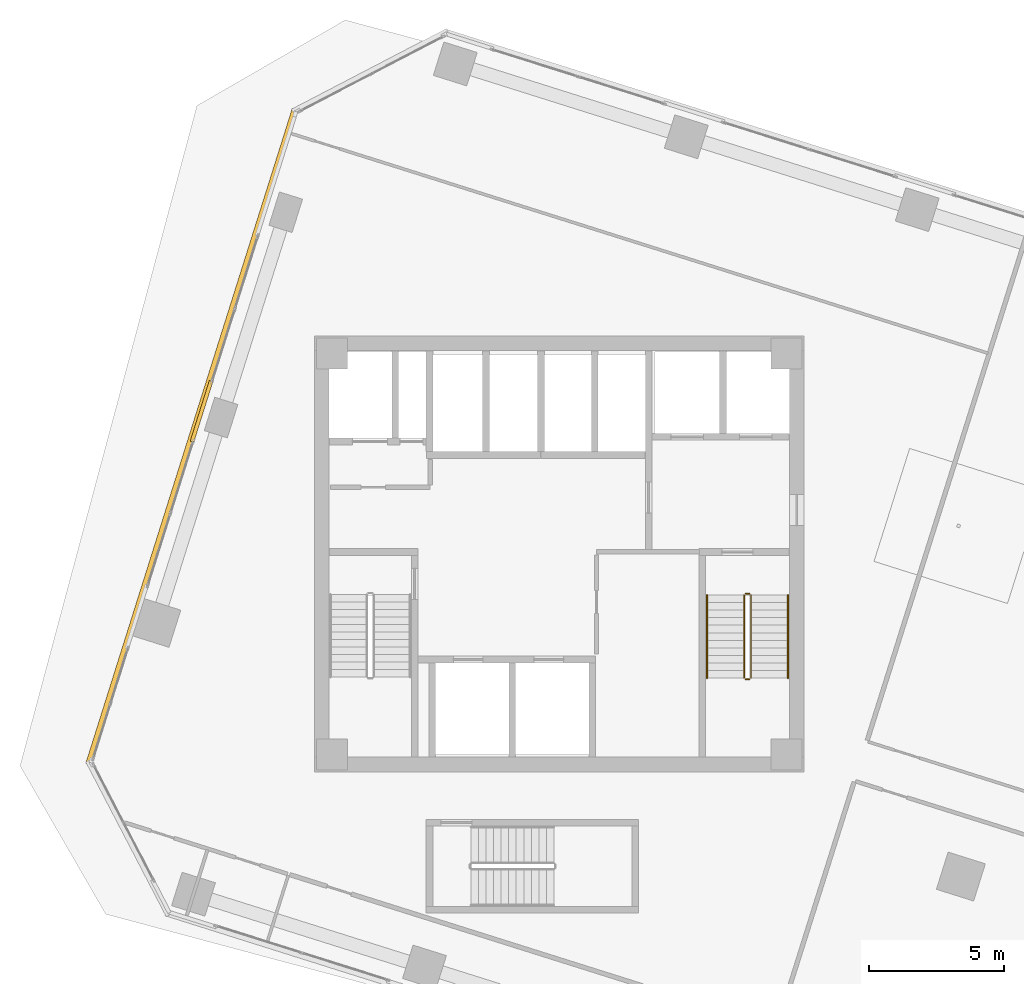
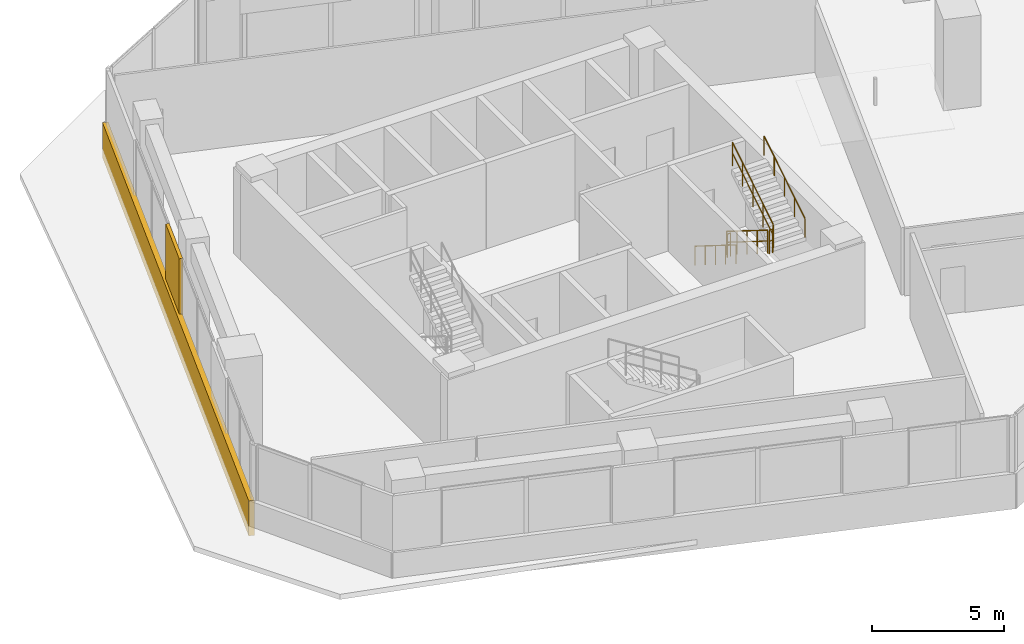
# One storey, part 25 of 28: 6 railings, 2 coverings.
"""IFC4 building model written with IfcOpenShell, lengths in metres."""

from ifc_helpers import new_model, si_unit, direction, frame, origin, origin_2d, place, context, subcontext, project, spatial, rectangle, circle, extrude, source, transform, mapped, material, layer, layer_set, type_object, element, save


model = new_model("IFC4")

# Units and contexts
model_context = context("Model", 3, precision=1e-05, world=origin(), true_north=direction((0.0, 1.0)))
body_context = subcontext(model_context, "Body", "Model", "MODEL_VIEW")
ifc_project = project(units=[si_unit("LENGTHUNIT", "METRE"), si_unit("AREAUNIT", "SQUARE_METRE"), si_unit("VOLUMEUNIT", "CUBIC_METRE"), si_unit("PLANEANGLEUNIT", "RADIAN"), si_unit("MASSUNIT", "GRAM", prefix="KILO")], contexts=[model_context])

# Site, building, storey
site_placement = place(None, origin())
site = spatial("IfcSite", under=ifc_project, at=site_placement, CompositionType="ELEMENT")
building_placement = place(site_placement, origin())
building = spatial("IfcBuilding", under=site, at=building_placement, Name="Torre Montelarca", CompositionType="ELEMENT")
storey_placement = place(building_placement, frame((0.0, 0.0, 112.60009765625)))
storey = spatial("IfcBuildingStorey", under=building, at=storey_placement, Name="L25", CompositionType="ELEMENT", Elevation=112.60009765625)

# Railings
ifc_material_1 = material(Name="Powder-coated steel ASTM A500 Grade C", Category="steel")
railing_type_1 = type_object("IfcRailingType", Name="RL-GUARD-1100", PredefinedType="BALUSTRADE", material=ifc_material_1)
railing_1_placement = place(storey_placement, frame((24.8701171875, 30.469970703125, 0.1748046875)))
element("IfcRailing", 1, at=railing_1_placement, inside=storey, type_object=railing_type_1, Name="L25 ST2 stair guard 1", PredefinedType="BALUSTRADE", context=body_context, shape_type="SweptSolid", body=[
    extrude(circle(Radius=0.02392578125, at=origin_2d()), frame((0.0, 0.0, 1.076171875), z_axis=(0.0, -0.847998304005, 0.529998940003), x_axis=(1.0, 0.0, 0.0)), (0.0, 0.0, 1.0), 3.632080078125),
    extrude(circle(Radius=0.02099609375, at=origin_2d()), frame((0.0, 0.0, 0.572021484375), z_axis=(0.0, -0.847998304005, 0.529998940003), x_axis=(1.0, 0.0, 0.0)), (0.0, 0.0, 1.0), 3.632080078125),
    extrude(circle(Radius=0.02099609375, at=origin_2d()), origin(), (0.0, 0.0, 1.0), 1.052001953125),
    extrude(circle(Radius=0.02099609375, at=origin_2d()), frame((0.0, -0.77001953125, 0.481201171875)), (0.0, 0.0, 1.0), 1.052001953125),
    extrude(circle(Radius=0.02099609375, at=origin_2d()), frame((0.0, -1.5400390625, 0.96240234375)), (0.0, 0.0, 1.0), 1.052001953125),
    extrude(circle(Radius=0.02099609375, at=origin_2d()), frame((0.0, -2.31005859375, 1.44384765625)), (0.0, 0.0, 1.0), 1.052001953125),
    extrude(circle(Radius=0.02099609375, at=origin_2d()), frame((0.0, -3.080078125, 1.925048828125)), (0.0, 0.0, 1.0), 1.052001953125),
])
railing_2_placement = place(storey_placement, frame((24.919921875, 27.340087890625, 2.099853515625)))
element("IfcRailing", 2, at=railing_2_placement, inside=storey, type_object=railing_type_1, Name="L25 ST2 stair guard 2", PredefinedType="BALUSTRADE", context=body_context, shape_type="SweptSolid", body=[
    extrude(circle(Radius=0.02392578125, at=origin_2d()), frame((0.0, 0.0, 1.076171875), z_axis=(1.0, 0.0, 0.0), x_axis=(0.0, 1.0, 0.0)), (0.0, 0.0, 1.0), 0.150146484375),
    extrude(circle(Radius=0.02099609375, at=origin_2d()), frame((0.0, 0.0, 0.572021484375), z_axis=(1.0, 0.0, 0.0), x_axis=(0.0, 1.0, 0.0)), (0.0, 0.0, 1.0), 0.150146484375),
    extrude(circle(Radius=0.02099609375, at=origin_2d()), origin(), (0.0, 0.0, 1.0), 1.052001953125),
    extrude(circle(Radius=0.02099609375, at=origin_2d()), frame((0.150146484375, 0.0, 0.0)), (0.0, 0.0, 1.0), 1.052001953125),
])
railing_3_placement = place(storey_placement, frame((25.1201171875, 27.389892578125, 2.27490234375)))
element("IfcRailing", 3, at=railing_3_placement, inside=storey, type_object=railing_type_1, Name="L25 ST2 stair guard 3", PredefinedType="BALUSTRADE", context=body_context, shape_type="SweptSolid", body=[
    extrude(circle(Radius=0.02392578125, at=origin_2d()), frame((0.0, 0.0, 1.076171875), z_axis=(0.0, 0.847998304005, 0.529998940003), x_axis=(-1.0, 0.0, 0.0)), (0.0, 0.0, 1.0), 3.632080078125),
    extrude(circle(Radius=0.02099609375, at=origin_2d()), frame((0.0, 0.0, 0.572021484375), z_axis=(0.0, 0.847998304005, 0.529998940003), x_axis=(-1.0, 0.0, 0.0)), (0.0, 0.0, 1.0), 3.632080078125),
    extrude(circle(Radius=0.02099609375, at=origin_2d()), origin(), (0.0, 0.0, 1.0), 1.052001953125),
    extrude(circle(Radius=0.02099609375, at=origin_2d()), frame((0.0, 0.77001953125, 0.481201171875)), (0.0, 0.0, 1.0), 1.052001953125),
    extrude(circle(Radius=0.02099609375, at=origin_2d()), frame((0.0, 1.5400390625, 0.96240234375)), (0.0, 0.0, 1.0), 1.052001953125),
    extrude(circle(Radius=0.02099609375, at=origin_2d()), frame((0.0, 2.31005859375, 1.44384765625)), (0.0, 0.0, 1.0), 1.052001953125),
    extrude(circle(Radius=0.02099609375, at=origin_2d()), frame((0.0, 3.080078125, 1.925048828125)), (0.0, 0.0, 1.0), 1.052001953125),
])
railing_4_placement = place(storey_placement, frame((24.919921875, 30.52001953125, 0.0)))
element("IfcRailing", 4, at=railing_4_placement, inside=storey, type_object=railing_type_1, Name="L25 ST2 stair guard 4", PredefinedType="BALUSTRADE", context=body_context, shape_type="SweptSolid", body=[
    extrude(circle(Radius=0.02392578125, at=origin_2d()), frame((0.0, 0.0, 1.076171875), z_axis=(1.0, 0.0, 0.0), x_axis=(0.0, 1.0, 0.0)), (0.0, 0.0, 1.0), 0.150146484375),
    extrude(circle(Radius=0.02099609375, at=origin_2d()), frame((0.0, 0.0, 0.572021484375), z_axis=(1.0, 0.0, 0.0), x_axis=(0.0, 1.0, 0.0)), (0.0, 0.0, 1.0), 0.150146484375),
    extrude(circle(Radius=0.02099609375, at=origin_2d()), origin(), (0.0, 0.0, 1.0), 1.052001953125),
    extrude(circle(Radius=0.02099609375, at=origin_2d()), frame((0.150146484375, 0.0, 0.0)), (0.0, 0.0, 1.0), 1.052001953125),
])
ifc_material_2 = material(Name="Brushed stainless steel AISI 316", Category="steel")
railing_type_2 = type_object("IfcRailingType", Name="RL-HANDRAIL-900", PredefinedType="HANDRAIL", material=ifc_material_2)
railing_5_placement = place(storey_placement, frame((23.489990234375, 30.469970703125, 0.1748046875)))
element("IfcRailing", 5, at=railing_5_placement, inside=storey, type_object=railing_type_2, Name="L25 ST2 stair handrail 1", PredefinedType="HANDRAIL", context=body_context, shape_type="SweptSolid", body=[
    extrude(circle(Radius=0.02392578125, at=origin_2d()), frame((0.0, 0.0, 0.8759765625), z_axis=(0.0, -0.847998304005, 0.529998940003), x_axis=(1.0, 0.0, 0.0)), (0.0, 0.0, 1.0), 3.632080078125),
    extrude(circle(Radius=0.02099609375, at=origin_2d()), origin(), (0.0, 0.0, 1.0), 0.851806640625),
    extrude(circle(Radius=0.02099609375, at=origin_2d()), frame((0.0, -0.77001953125, 0.481201171875)), (0.0, 0.0, 1.0), 0.851806640625),
    extrude(circle(Radius=0.02099609375, at=origin_2d()), frame((0.0, -1.5400390625, 0.96240234375)), (0.0, 0.0, 1.0), 0.851806640625),
    extrude(circle(Radius=0.02099609375, at=origin_2d()), frame((0.0, -2.31005859375, 1.44384765625)), (0.0, 0.0, 1.0), 0.851806640625),
    extrude(circle(Radius=0.02099609375, at=origin_2d()), frame((0.0, -3.080078125, 1.925048828125)), (0.0, 0.0, 1.0), 0.851806640625),
])
railing_6_placement = place(storey_placement, frame((26.5, 27.389892578125, 2.27490234375)))
element("IfcRailing", 6, at=railing_6_placement, inside=storey, type_object=railing_type_2, Name="L25 ST2 stair handrail 2", PredefinedType="HANDRAIL", context=body_context, shape_type="SweptSolid", body=[
    extrude(circle(Radius=0.02392578125, at=origin_2d()), frame((0.0, 0.0, 0.8759765625), z_axis=(0.0, 0.847998304005, 0.529998940003), x_axis=(-1.0, 0.0, 0.0)), (0.0, 0.0, 1.0), 3.632080078125),
    extrude(circle(Radius=0.02099609375, at=origin_2d()), origin(), (0.0, 0.0, 1.0), 0.851806640625),
    extrude(circle(Radius=0.02099609375, at=origin_2d()), frame((0.0, 0.77001953125, 0.481201171875)), (0.0, 0.0, 1.0), 0.851806640625),
    extrude(circle(Radius=0.02099609375, at=origin_2d()), frame((0.0, 1.5400390625, 0.96240234375)), (0.0, 0.0, 1.0), 0.851806640625),
    extrude(circle(Radius=0.02099609375, at=origin_2d()), frame((0.0, 2.31005859375, 1.44384765625)), (0.0, 0.0, 1.0), 0.851806640625),
    extrude(circle(Radius=0.02099609375, at=origin_2d()), frame((0.0, 3.080078125, 1.925048828125)), (0.0, 0.0, 1.0), 0.851806640625),
])

# Coverings
ifc_material_3 = material(Name="Bush-hammered warm white precast concrete C45/55", Category="concrete")
ifc_layer = layer(ifc_material_3, 0.139892578125, Name="Bush-hammered warm white precast concrete C45/55", Category="concrete")
ifc_layer_set = layer_set([ifc_layer], Name="Bush-hammered warm white precast concrete C45/55")
covering_type = type_object("IfcCoveringType", Name="COV-TRAY-CLAD", PredefinedType="CLADDING", material=ifc_layer_set)
shared_shape_1 = source(origin(), body_context, "Body", "SweptSolid", [
    extrude(rectangle(XDim=25.52001953125, YDim=0.219970703125, at=origin_2d()), origin(), (0.0, 0.0, 1.0), 1.6201171875),
])
covering_1_placement = place(storey_placement, frame((4.34716796875, 36.35986328125, -0.4501953125), z_axis=(0.0, 0.0, 1.0), x_axis=(-0.300709128603, -0.953715901081, 0.0)))
element("IfcCovering", 7, at=covering_1_placement, inside=storey, type_object=covering_type, Name="L25 Architectural White Spandrel Tray Band TRYBOT-10", PredefinedType="CLADDING", context=body_context, shape_type="MappedRepresentation", body=[
    mapped(shared_shape_1, transform((0.0, 0.0, 0.0), scale=1.0)),
])
shared_shape_2 = source(origin(), body_context, "Body", "SweptSolid", [
    extrude(rectangle(XDim=2.360107421875, YDim=0.139892578125, at=origin_2d()), origin(), (0.0, 0.0, 1.0), 3.719970703125),
])
covering_2_placement = place(storey_placement, frame((4.705078125, 37.29541015625, 0.0), z_axis=(0.0, 0.0, 1.0), x_axis=(-0.300707464054, -0.953716425916, 0.0)))
element("IfcCovering", 8, at=covering_2_placement, inside=storey, type_object=covering_type, Name="L25 Architectural Column Pier Cladding E10-3", PredefinedType="CLADDING", context=body_context, shape_type="MappedRepresentation", body=[
    mapped(shared_shape_2, transform((0.0, 0.0, 0.0), scale=1.0)),
])

save(model, "model.ifc")
